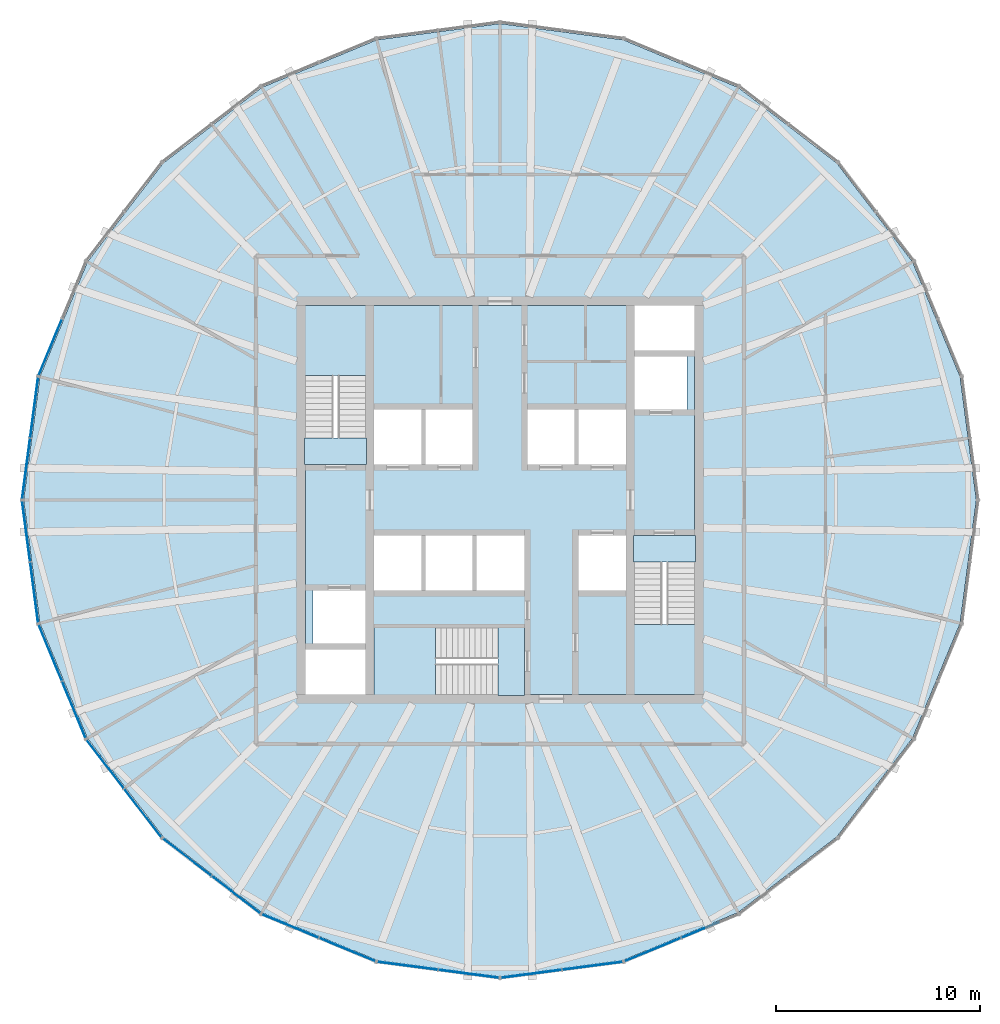
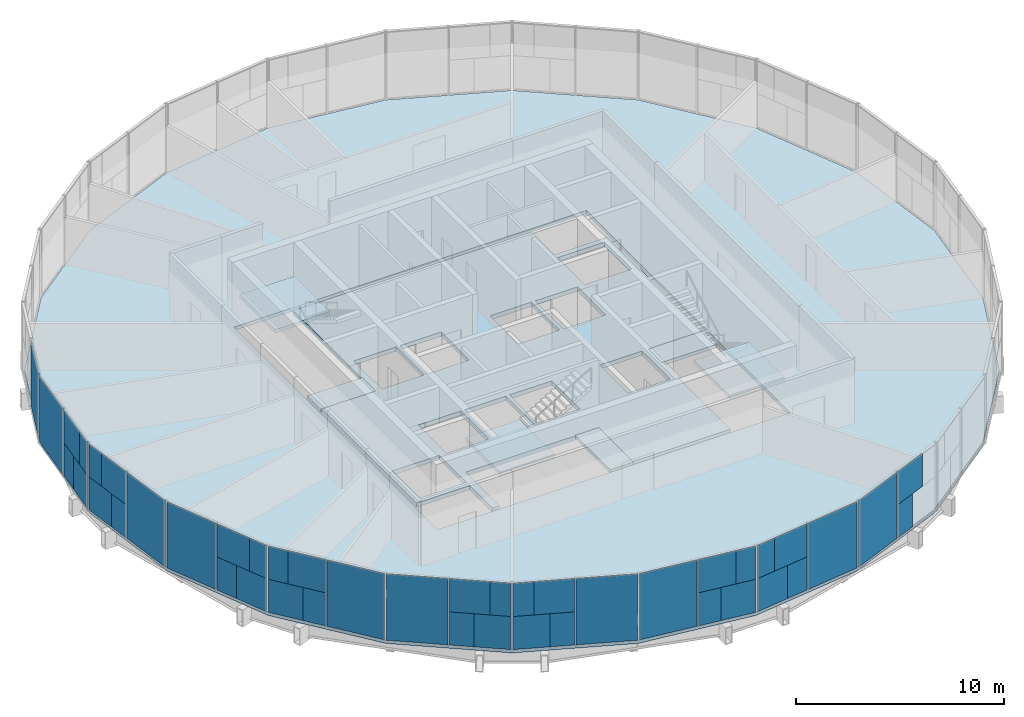
# One storey, part 8 of 13: 44 plates, 8 slabs, 13 elements without a shape of their own.
"""IFC4 building model written with IfcOpenShell, lengths in metres."""

from ifc_helpers import new_model, si_unit, direction, frame, origin, origin_2d, place, context, subcontext, project, spatial, polyline, rectangle, outline, extrude, material, layer, layer_set, type_object, element, aggregate, save


model = new_model("IFC4")

# Units and contexts
model_context = context("Model", 3, precision=1e-05, world=origin(), true_north=direction((0.0, 1.0)))
body_context = subcontext(model_context, "Body", "Model", "MODEL_VIEW")
ifc_project = project(units=[si_unit("LENGTHUNIT", "METRE"), si_unit("AREAUNIT", "SQUARE_METRE"), si_unit("VOLUMEUNIT", "CUBIC_METRE"), si_unit("PLANEANGLEUNIT", "RADIAN"), si_unit("MASSUNIT", "GRAM", prefix="KILO")], contexts=[model_context])

# Site, building, storey
site_placement = place(None, origin())
site = spatial("IfcSite", under=ifc_project, at=site_placement, CompositionType="ELEMENT")
building_placement = place(site_placement, origin())
building = spatial("IfcBuilding", under=site, at=building_placement, Name="Golbaran Civic Tower", CompositionType="ELEMENT")
storey_placement = place(building_placement, frame((0.0, 0.0, 211.0)))
storey = spatial("IfcBuildingStorey", under=building, at=storey_placement, Name="L51", CompositionType="ELEMENT", Elevation=211.0)

# Slabs
ifc_material_1 = material(Name="Concrete LC30/33 lightweight on steel deck", Category="concrete")
ifc_layer_1 = layer(ifc_material_1, 0.199951171875, Name="Concrete LC30/33 lightweight on steel deck")
ifc_layer_set_1 = layer_set([ifc_layer_1], Name="Concrete LC30/33 lightweight on steel deck")
slab_type_1 = type_object("IfcSlabType", Name="COMPOSITE FLOOR SLAB 200", PredefinedType="FLOOR", material=ifc_layer_set_1)
slab_1_placement = place(storey_placement, frame((0.0, 0.0, -0.199951171875)))
element("IfcSlab", 1, at=slab_1_placement, inside=storey, type_object=slab_type_1, Name="Floor slab L51", PredefinedType="FLOOR", context=body_context, shape_type="SweptSolid", body=[
    extrude(outline(polyline([(20.271240234375, -11.70361328125), (16.551513671875, -16.551513671875), (11.70361328125, -20.271240234375), (6.058349609375, -22.609619140625), (0.0, -23.4072265625), (-6.058349609375, -22.609619140625), (-11.70361328125, -20.271240234375), (-16.551513671875, -16.551513671875), (-20.271240234375, -11.70361328125), (-22.609619140625, -6.058349609375), (-23.4072265625, 0.0), (-22.609619140625, 6.058349609375), (-20.271240234375, 11.70361328125), (-16.551513671875, 16.551513671875), (-11.70361328125, 20.271240234375), (-6.058349609375, 22.609619140625), (0.0, 23.4072265625), (6.058349609375, 22.609619140625), (11.70361328125, 20.271240234375), (16.551513671875, 16.551513671875), (20.271240234375, 11.70361328125), (22.609619140625, 6.058349609375), (23.4072265625, 0.0), (22.609619140625, -6.058349609375), (20.271240234375, -11.70361328125)]), holes=[polyline([(-9.77490234375, 9.77490234375), (-9.77490234375, -9.77490234375), (9.77490234375, -9.77490234375), (9.77490234375, 9.77490234375), (-9.77490234375, 9.77490234375)])]), origin(), (0.0, 0.0, 1.0), 0.199951171875),
])
ifc_material_2 = material(Name="Concrete C35/45", Category="concrete")
ifc_layer_2 = layer(ifc_material_2, 0.25, Name="Concrete C35/45")
ifc_layer_set_2 = layer_set([ifc_layer_2], Name="Concrete C35/45")
slab_type_2 = type_object("IfcSlabType", Name="CORE FLOOR SLAB 250", PredefinedType="FLOOR", material=ifc_layer_set_2)
slab_2_placement = place(storey_placement, frame((0.0, 0.0, -0.25)))
element("IfcSlab", 2, at=slab_2_placement, inside=storey, type_object=slab_type_2, Name="Core floor slab L51", PredefinedType="FLOOR", context=body_context, shape_type="SweptSolid", body=[
    extrude(outline(polyline([(6.60009765625, -1.75), (6.60009765625, -9.550048828125), (1.199951171875, -9.550048828125), (1.199951171875, -6.300048828125), (-6.199951171875, -6.300048828125), (-6.199951171875, -9.550048828125), (-6.60009765625, -9.550048828125), (-6.60009765625, -7.35009765625), (-9.550048828125, -7.35009765625), (-9.550048828125, 1.75), (-6.60009765625, 1.75), (-6.60009765625, 9.550048828125), (6.60009765625, 9.550048828125), (6.60009765625, 7.35009765625), (9.550048828125, 7.35009765625), (9.550048828125, -1.75), (6.60009765625, -1.75)]), holes=[polyline([(9.199951171875, 7.050048828125), (6.60009765625, 7.050048828125), (6.60009765625, 4.449951171875), (9.199951171875, 4.449951171875), (9.199951171875, 7.050048828125)]), polyline([(6.199951171875, -1.75), (3.85009765625, -1.75), (3.85009765625, -4.449951171875), (6.199951171875, -4.449951171875), (6.199951171875, -1.75)]), polyline([(6.199951171875, 4.449951171875), (3.85009765625, 4.449951171875), (3.85009765625, 1.75), (6.199951171875, 1.75), (6.199951171875, 4.449951171875)]), polyline([(3.64990234375, 4.449951171875), (1.35009765625, 4.449951171875), (1.35009765625, 1.75), (3.64990234375, 1.75), (3.64990234375, 4.449951171875)]), polyline([(1.199951171875, -1.75), (-1.14990234375, -1.75), (-1.14990234375, -4.449951171875), (1.199951171875, -4.449951171875), (1.199951171875, -1.75)]), polyline([(-1.35009765625, 4.449951171875), (-3.64990234375, 4.449951171875), (-3.64990234375, 1.75), (-1.35009765625, 1.75), (-1.35009765625, 4.449951171875)]), polyline([(-1.35009765625, -1.75), (-3.64990234375, -1.75), (-3.64990234375, -4.449951171875), (-1.35009765625, -4.449951171875), (-1.35009765625, -1.75)]), polyline([(-3.85009765625, -1.75), (-6.199951171875, -1.75), (-6.199951171875, -4.449951171875), (-3.85009765625, -4.449951171875), (-3.85009765625, -1.75)]), polyline([(-3.85009765625, 4.449951171875), (-6.199951171875, 4.449951171875), (-6.199951171875, 1.75), (-3.85009765625, 1.75), (-3.85009765625, 4.449951171875)]), polyline([(-6.60009765625, -4.449951171875), (-9.199951171875, -4.449951171875), (-9.199951171875, -7.050048828125), (-6.60009765625, -7.050048828125), (-6.60009765625, -4.449951171875)])]), origin(), (0.0, 0.0, 1.0), 0.25),
])

# Curtain wall, plate
ifc_material_3 = material(Name="Aluminium and glass", Category="aluminium")
curtain_wall_type = type_object("IfcCurtainWallType", Name="INNER SKIN CURTAIN WALL EXECUTIVE", PredefinedType="NOTDEFINED", material=ifc_material_3)
curtain_wall_1_placement = place(storey_placement, origin())
curtain_wall_1 = element("IfcCurtainWall", 3, at=curtain_wall_1_placement, inside=storey, type_object=curtain_wall_type, Name="Inner skin L51 facet 11 CW2", ObjectType="INNER SKIN", PredefinedType="USERDEFINED")
ifc_material_4 = material(Name="Clear insulating glass", Category="glass")
ifc_layer_3 = layer(ifc_material_4, 0.031982421875, Name="Clear insulating glass")
ifc_layer_set_3 = layer_set([ifc_layer_3], Name="Clear insulating glass")
plate_type_1 = type_object("IfcPlateType", Name="INNER SKIN CURTAIN WALL EXECUTIVE GLAZED PANEL", PredefinedType="CURTAIN_PANEL", material=ifc_layer_set_3)
plate_1_placement = place(storey_placement, frame((-22.09521484375, 7.50927734375, 0.06005859375), z_axis=(0.0, 0.0, 1.0), x_axis=(-0.382683432381, -0.923879532505, 0.0)))
plate_1 = element("IfcPlate", 4, at=plate_1_placement, type_object=plate_type_1, Name="CW2 panel 2.1", PredefinedType="CURTAIN_PANEL", context=body_context, shape_type="SweptSolid", body=[
    extrude(rectangle(XDim=2.975830078125, YDim=0.031982421875, at=origin_2d()), origin(), (0.0, 0.0, 1.0), 3.8798828125),
])
aggregate(curtain_wall_1, [plate_1])

# Curtain wall, plates
curtain_wall_2_placement = place(storey_placement, origin())
curtain_wall_2 = element("IfcCurtainWall", 5, at=curtain_wall_2_placement, inside=storey, type_object=curtain_wall_type, Name="Inner skin L51 facet 12 CW2", ObjectType="INNER SKIN", PredefinedType="USERDEFINED")
plate_2_placement = place(storey_placement, frame((-22.8896484375, 4.54443359375, 0.06005859375), z_axis=(0.0, 0.0, 1.0), x_axis=(-0.130526192203, -0.991444861376, 0.0)))
plate_2 = element("IfcPlate", 6, at=plate_2_placement, type_object=plate_type_1, Name="CW2 panel 1.1", PredefinedType="CURTAIN_PANEL", context=body_context, shape_type="SweptSolid", body=[
    extrude(rectangle(XDim=2.975830078125, YDim=0.031982421875, at=origin_2d()), origin(), (0.0, 0.0, 1.0), 3.8798828125),
])
plate_3_placement = place(storey_placement, frame((-23.16943359375, 2.419921875, 0.06005859375), z_axis=(0.0, 0.0, 1.0), x_axis=(-0.130526192203, -0.991444861376, 0.0)))
plate_3 = element("IfcPlate", 7, at=plate_3_placement, type_object=plate_type_1, Name="CW2 panel 2.1 part 1", PredefinedType="CURTAIN_PANEL", context=body_context, shape_type="SweptSolid", body=[
    extrude(rectangle(XDim=1.18994140625, YDim=0.031982421875, at=origin_2d()), origin(), (0.0, 0.0, 1.0), 1.93994140625),
])
plate_4_placement = place(storey_placement, frame((-23.219970703125, 2.03662109375, 2.0), z_axis=(0.0, 0.0, 1.0), x_axis=(-0.130526192203, -0.991444861376, 0.0)))
plate_4 = element("IfcPlate", 8, at=plate_4_placement, type_object=plate_type_1, Name="CW2 panel 2.1 part 3", PredefinedType="CURTAIN_PANEL", context=body_context, shape_type="SweptSolid", body=[
    extrude(rectangle(XDim=1.962890625, YDim=0.031982421875, at=origin_2d()), origin(), (0.0, 0.0, 1.0), 1.93994140625),
])

curtain_wall_3_placement = place(storey_placement, origin())
curtain_wall_3 = element("IfcCurtainWall", 9, at=curtain_wall_3_placement, inside=storey, type_object=curtain_wall_type, Name="Inner skin L51 facet 13 CW2", ObjectType="INNER SKIN", PredefinedType="USERDEFINED")
plate_5_placement = place(storey_placement, frame((-23.16943359375, -2.419921875, 0.06005859375), z_axis=(0.0, 0.0, 1.0), x_axis=(0.130526192203, -0.991444861376, 0.0)))
plate_5 = element("IfcPlate", 10, at=plate_5_placement, type_object=plate_type_1, Name="CW2 panel 1.1 part 2", PredefinedType="CURTAIN_PANEL", context=body_context, shape_type="SweptSolid", body=[
    extrude(rectangle(XDim=1.189697265625, YDim=0.031982421875, at=origin_2d()), origin(), (0.0, 0.0, 1.0), 1.93994140625),
])
plate_6_placement = place(storey_placement, frame((-23.2197265625, -2.036865234375, 2.0), z_axis=(0.0, 0.0, 1.0), x_axis=(0.130526192203, -0.991444861376, 0.0)))
plate_6 = element("IfcPlate", 11, at=plate_6_placement, type_object=plate_type_1, Name="CW2 panel 1.1 part 4", PredefinedType="CURTAIN_PANEL", context=body_context, shape_type="SweptSolid", body=[
    extrude(rectangle(XDim=1.962890625, YDim=0.031982421875, at=origin_2d()), origin(), (0.0, 0.0, 1.0), 1.93994140625),
])
plate_7_placement = place(storey_placement, frame((-22.8896484375, -4.54443359375, 0.06005859375), z_axis=(0.0, 0.0, 1.0), x_axis=(0.130526192203, -0.991444861376, 0.0)))
plate_7 = element("IfcPlate", 12, at=plate_7_placement, type_object=plate_type_1, Name="CW2 panel 2.1", PredefinedType="CURTAIN_PANEL", context=body_context, shape_type="SweptSolid", body=[
    extrude(rectangle(XDim=2.975830078125, YDim=0.031982421875, at=origin_2d()), origin(), (0.0, 0.0, 1.0), 3.8798828125),
])

curtain_wall_4_placement = place(storey_placement, origin())
curtain_wall_4 = element("IfcCurtainWall", 13, at=curtain_wall_4_placement, inside=storey, type_object=curtain_wall_type, Name="Inner skin L51 facet 14 CW2", ObjectType="INNER SKIN", PredefinedType="USERDEFINED")
plate_8_placement = place(storey_placement, frame((-22.09521484375, -7.50927734375, 0.06005859375), z_axis=(0.0, 0.0, 1.0), x_axis=(0.382683432381, -0.923879532505, 0.0)))
plate_8 = element("IfcPlate", 14, at=plate_8_placement, type_object=plate_type_1, Name="CW2 panel 1.1", PredefinedType="CURTAIN_PANEL", context=body_context, shape_type="SweptSolid", body=[
    extrude(rectangle(XDim=2.975830078125, YDim=0.031982421875, at=origin_2d()), origin(), (0.0, 0.0, 1.0), 3.8798828125),
])
plate_9_placement = place(storey_placement, frame((-21.275146484375, -9.489013671875, 0.06005859375), z_axis=(0.0, 0.0, 1.0), x_axis=(0.382683432381, -0.923879532505, 0.0)))
plate_9 = element("IfcPlate", 15, at=plate_9_placement, type_object=plate_type_1, Name="CW2 panel 2.1 part 1", PredefinedType="CURTAIN_PANEL", context=body_context, shape_type="SweptSolid", body=[
    extrude(rectangle(XDim=1.18994140625, YDim=0.031982421875, at=origin_2d()), origin(), (0.0, 0.0, 1.0), 1.93994140625),
])
plate_10_placement = place(storey_placement, frame((-21.12744140625, -9.84619140625, 2.0), z_axis=(0.0, 0.0, 1.0), x_axis=(0.382683432381, -0.923879532505, 0.0)))
plate_10 = element("IfcPlate", 16, at=plate_10_placement, type_object=plate_type_1, Name="CW2 panel 2.1 part 3", PredefinedType="CURTAIN_PANEL", context=body_context, shape_type="SweptSolid", body=[
    extrude(rectangle(XDim=1.962890625, YDim=0.031982421875, at=origin_2d()), origin(), (0.0, 0.0, 1.0), 1.93994140625),
])

curtain_wall_5_placement = place(storey_placement, origin())
curtain_wall_5 = element("IfcCurtainWall", 17, at=curtain_wall_5_placement, inside=storey, type_object=curtain_wall_type, Name="Inner skin L51 facet 15 CW2", ObjectType="INNER SKIN", PredefinedType="USERDEFINED")
plate_11_placement = place(storey_placement, frame((-18.855224609375, -13.680419921875, 0.06005859375), z_axis=(0.0, 0.0, 1.0), x_axis=(0.608761428912, -0.793353340366, 0.0)))
plate_11 = element("IfcPlate", 18, at=plate_11_placement, type_object=plate_type_1, Name="CW2 panel 1.1 part 2", PredefinedType="CURTAIN_PANEL", context=body_context, shape_type="SweptSolid", body=[
    extrude(rectangle(XDim=1.189697265625, YDim=0.031982421875, at=origin_2d()), origin(), (0.0, 0.0, 1.0), 1.93994140625),
])
plate_12_placement = place(storey_placement, frame((-19.090576171875, -13.373779296875, 2.0), z_axis=(0.0, 0.0, 1.0), x_axis=(0.608761428912, -0.793353340366, 0.0)))
plate_12 = element("IfcPlate", 19, at=plate_12_placement, type_object=plate_type_1, Name="CW2 panel 1.1 part 4", PredefinedType="CURTAIN_PANEL", context=body_context, shape_type="SweptSolid", body=[
    extrude(rectangle(XDim=1.962890625, YDim=0.031982421875, at=origin_2d()), origin(), (0.0, 0.0, 1.0), 1.93994140625),
])
plate_13_placement = place(storey_placement, frame((-17.55078125, -15.38037109375, 0.06005859375), z_axis=(0.0, 0.0, 1.0), x_axis=(0.608761428912, -0.793353340366, 0.0)))
plate_13 = element("IfcPlate", 20, at=plate_13_placement, type_object=plate_type_1, Name="CW2 panel 2.1", PredefinedType="CURTAIN_PANEL", context=body_context, shape_type="SweptSolid", body=[
    extrude(rectangle(XDim=2.975830078125, YDim=0.031982421875, at=origin_2d()), origin(), (0.0, 0.0, 1.0), 3.8798828125),
])

curtain_wall_6_placement = place(storey_placement, origin())
curtain_wall_6 = element("IfcCurtainWall", 21, at=curtain_wall_6_placement, inside=storey, type_object=curtain_wall_type, Name="Inner skin L51 facet 16 CW2", ObjectType="INNER SKIN", PredefinedType="USERDEFINED")
plate_14_placement = place(storey_placement, frame((-15.38037109375, -17.55078125, 0.06005859375), z_axis=(0.0, 0.0, 1.0), x_axis=(0.793353340366, -0.608761428912, 0.0)))
plate_14 = element("IfcPlate", 22, at=plate_14_placement, type_object=plate_type_1, Name="CW2 panel 1.1", PredefinedType="CURTAIN_PANEL", context=body_context, shape_type="SweptSolid", body=[
    extrude(rectangle(XDim=2.975830078125, YDim=0.031982421875, at=origin_2d()), origin(), (0.0, 0.0, 1.0), 3.8798828125),
])
plate_15_placement = place(storey_placement, frame((-13.680419921875, -18.855224609375, 0.06005859375), z_axis=(0.0, 0.0, 1.0), x_axis=(0.793353340366, -0.608761428912, 0.0)))
plate_15 = element("IfcPlate", 23, at=plate_15_placement, type_object=plate_type_1, Name="CW2 panel 2.1 part 1", PredefinedType="CURTAIN_PANEL", context=body_context, shape_type="SweptSolid", body=[
    extrude(rectangle(XDim=1.18994140625, YDim=0.031982421875, at=origin_2d()), origin(), (0.0, 0.0, 1.0), 1.93994140625),
])
plate_16_placement = place(storey_placement, frame((-13.373779296875, -19.090576171875, 2.0), z_axis=(0.0, 0.0, 1.0), x_axis=(0.793353340366, -0.608761428912, 0.0)))
plate_16 = element("IfcPlate", 24, at=plate_16_placement, type_object=plate_type_1, Name="CW2 panel 2.1 part 3", PredefinedType="CURTAIN_PANEL", context=body_context, shape_type="SweptSolid", body=[
    extrude(rectangle(XDim=1.962890625, YDim=0.031982421875, at=origin_2d()), origin(), (0.0, 0.0, 1.0), 1.93994140625),
])

curtain_wall_7_placement = place(storey_placement, origin())
curtain_wall_7 = element("IfcCurtainWall", 25, at=curtain_wall_7_placement, inside=storey, type_object=curtain_wall_type, Name="Inner skin L51 facet 17 CW2", ObjectType="INNER SKIN", PredefinedType="USERDEFINED")
plate_17_placement = place(storey_placement, frame((-9.489013671875, -21.275390625, 0.06005859375), z_axis=(0.0, 0.0, 1.0), x_axis=(0.923879532505, -0.382683432381, 0.0)))
plate_17 = element("IfcPlate", 26, at=plate_17_placement, type_object=plate_type_1, Name="CW2 panel 1.1 part 2", PredefinedType="CURTAIN_PANEL", context=body_context, shape_type="SweptSolid", body=[
    extrude(rectangle(XDim=1.189697265625, YDim=0.031982421875, at=origin_2d()), origin(), (0.0, 0.0, 1.0), 1.93994140625),
])
plate_18_placement = place(storey_placement, frame((-9.845947265625, -21.12744140625, 2.0), z_axis=(0.0, 0.0, 1.0), x_axis=(0.923879532505, -0.382683432381, 0.0)))
plate_18 = element("IfcPlate", 27, at=plate_18_placement, type_object=plate_type_1, Name="CW2 panel 1.1 part 4", PredefinedType="CURTAIN_PANEL", context=body_context, shape_type="SweptSolid", body=[
    extrude(rectangle(XDim=1.962890625, YDim=0.031982421875, at=origin_2d()), origin(), (0.0, 0.0, 1.0), 1.93994140625),
])
plate_19_placement = place(storey_placement, frame((-7.50927734375, -22.09521484375, 0.06005859375), z_axis=(0.0, 0.0, 1.0), x_axis=(0.923879532505, -0.382683432381, 0.0)))
plate_19 = element("IfcPlate", 28, at=plate_19_placement, type_object=plate_type_1, Name="CW2 panel 2.1", PredefinedType="CURTAIN_PANEL", context=body_context, shape_type="SweptSolid", body=[
    extrude(rectangle(XDim=2.975830078125, YDim=0.031982421875, at=origin_2d()), origin(), (0.0, 0.0, 1.0), 3.8798828125),
])

curtain_wall_8_placement = place(storey_placement, origin())
curtain_wall_8 = element("IfcCurtainWall", 29, at=curtain_wall_8_placement, inside=storey, type_object=curtain_wall_type, Name="Inner skin L51 facet 18 CW2", ObjectType="INNER SKIN", PredefinedType="USERDEFINED")
plate_20_placement = place(storey_placement, frame((-4.54443359375, -22.8896484375, 0.06005859375), z_axis=(0.0, 0.0, 1.0), x_axis=(0.991444861376, -0.130526192203, 0.0)))
plate_20 = element("IfcPlate", 30, at=plate_20_placement, type_object=plate_type_1, Name="CW2 panel 1.1", PredefinedType="CURTAIN_PANEL", context=body_context, shape_type="SweptSolid", body=[
    extrude(rectangle(XDim=2.975830078125, YDim=0.031982421875, at=origin_2d()), origin(), (0.0, 0.0, 1.0), 3.8798828125),
])
plate_21_placement = place(storey_placement, frame((-2.419921875, -23.16943359375, 0.06005859375), z_axis=(0.0, 0.0, 1.0), x_axis=(0.991444861376, -0.130526192203, 0.0)))
plate_21 = element("IfcPlate", 31, at=plate_21_placement, type_object=plate_type_1, Name="CW2 panel 2.1 part 1", PredefinedType="CURTAIN_PANEL", context=body_context, shape_type="SweptSolid", body=[
    extrude(rectangle(XDim=1.18994140625, YDim=0.031982421875, at=origin_2d()), origin(), (0.0, 0.0, 1.0), 1.93994140625),
])
plate_22_placement = place(storey_placement, frame((-2.03662109375, -23.219970703125, 2.0), z_axis=(0.0, 0.0, 1.0), x_axis=(0.991444861376, -0.130526192203, 0.0)))
plate_22 = element("IfcPlate", 32, at=plate_22_placement, type_object=plate_type_1, Name="CW2 panel 2.1 part 3", PredefinedType="CURTAIN_PANEL", context=body_context, shape_type="SweptSolid", body=[
    extrude(rectangle(XDim=1.962890625, YDim=0.031982421875, at=origin_2d()), origin(), (0.0, 0.0, 1.0), 1.93994140625),
])

curtain_wall_9_placement = place(storey_placement, origin())
curtain_wall_9 = element("IfcCurtainWall", 33, at=curtain_wall_9_placement, inside=storey, type_object=curtain_wall_type, Name="Inner skin L51 facet 19 CW2", ObjectType="INNER SKIN", PredefinedType="USERDEFINED")
plate_23_placement = place(storey_placement, frame((2.419921875, -23.16943359375, 0.06005859375), z_axis=(0.0, 0.0, 1.0), x_axis=(0.991444861376, 0.130526192203, 0.0)))
plate_23 = element("IfcPlate", 34, at=plate_23_placement, type_object=plate_type_1, Name="CW2 panel 1.1 part 2", PredefinedType="CURTAIN_PANEL", context=body_context, shape_type="SweptSolid", body=[
    extrude(rectangle(XDim=1.189697265625, YDim=0.031982421875, at=origin_2d()), origin(), (0.0, 0.0, 1.0), 1.93994140625),
])
plate_24_placement = place(storey_placement, frame((2.036865234375, -23.2197265625, 2.0), z_axis=(0.0, 0.0, 1.0), x_axis=(0.991444861376, 0.130526192203, 0.0)))
plate_24 = element("IfcPlate", 35, at=plate_24_placement, type_object=plate_type_1, Name="CW2 panel 1.1 part 4", PredefinedType="CURTAIN_PANEL", context=body_context, shape_type="SweptSolid", body=[
    extrude(rectangle(XDim=1.962890625, YDim=0.031982421875, at=origin_2d()), origin(), (0.0, 0.0, 1.0), 1.93994140625),
])
plate_25_placement = place(storey_placement, frame((4.54443359375, -22.8896484375, 0.06005859375), z_axis=(0.0, 0.0, 1.0), x_axis=(0.991444861376, 0.130526192203, 0.0)))
plate_25 = element("IfcPlate", 36, at=plate_25_placement, type_object=plate_type_1, Name="CW2 panel 2.1", PredefinedType="CURTAIN_PANEL", context=body_context, shape_type="SweptSolid", body=[
    extrude(rectangle(XDim=2.975830078125, YDim=0.031982421875, at=origin_2d()), origin(), (0.0, 0.0, 1.0), 3.8798828125),
])

curtain_wall_10_placement = place(storey_placement, origin())
curtain_wall_10 = element("IfcCurtainWall", 37, at=curtain_wall_10_placement, inside=storey, type_object=curtain_wall_type, Name="Inner skin L51 facet 20 CW2", ObjectType="INNER SKIN", PredefinedType="USERDEFINED")
plate_26_placement = place(storey_placement, frame((7.50927734375, -22.09521484375, 0.06005859375), z_axis=(0.0, 0.0, 1.0), x_axis=(0.923879532505, 0.382683432381, 0.0)))
plate_26 = element("IfcPlate", 38, at=plate_26_placement, type_object=plate_type_1, Name="CW2 panel 1.1", PredefinedType="CURTAIN_PANEL", context=body_context, shape_type="SweptSolid", body=[
    extrude(rectangle(XDim=2.975830078125, YDim=0.031982421875, at=origin_2d()), origin(), (0.0, 0.0, 1.0), 3.8798828125),
])
plate_27_placement = place(storey_placement, frame((9.489013671875, -21.275146484375, 0.06005859375), z_axis=(0.0, 0.0, 1.0), x_axis=(0.923879532505, 0.382683432381, 0.0)))
plate_27 = element("IfcPlate", 39, at=plate_27_placement, type_object=plate_type_1, Name="CW2 panel 2.1 part 1", PredefinedType="CURTAIN_PANEL", context=body_context, shape_type="SweptSolid", body=[
    extrude(rectangle(XDim=1.18994140625, YDim=0.031982421875, at=origin_2d()), origin(), (0.0, 0.0, 1.0), 1.93994140625),
])
plate_28_placement = place(storey_placement, frame((9.84619140625, -21.12744140625, 2.0), z_axis=(0.0, 0.0, 1.0), x_axis=(0.923879532505, 0.382683432381, 0.0)))
plate_28 = element("IfcPlate", 40, at=plate_28_placement, type_object=plate_type_1, Name="CW2 panel 2.1 part 3", PredefinedType="CURTAIN_PANEL", context=body_context, shape_type="SweptSolid", body=[
    extrude(rectangle(XDim=1.962890625, YDim=0.031982421875, at=origin_2d()), origin(), (0.0, 0.0, 1.0), 1.93994140625),
])
aggregate(curtain_wall_10, [plate_26, plate_27, plate_28])

# Plate
ifc_material_5 = material(Name="Aluminium faced opaque infill panel", Category="aluminium")
ifc_layer_4 = layer(ifc_material_5, 0.031982421875, Name="Aluminium faced opaque infill panel")
ifc_layer_set_4 = layer_set([ifc_layer_4], Name="Aluminium faced opaque infill panel")
plate_type_2 = type_object("IfcPlateType", Name="INNER SKIN CURTAIN WALL EXECUTIVE OPAQUE INFILL PANEL", PredefinedType="CURTAIN_PANEL", material=ifc_layer_set_4)
plate_29_placement = place(storey_placement, frame((-23.363525390625, 0.94482421875, 0.06005859375), z_axis=(0.0, 0.0, 1.0), x_axis=(-0.130526192203, -0.991444861376, 0.0)))
plate_29 = element("IfcPlate", 41, at=plate_29_placement, type_object=plate_type_2, Name="CW2 infill panel 2.1 part 2", PredefinedType="CURTAIN_PANEL", context=body_context, shape_type="SweptSolid", body=[
    extrude(rectangle(XDim=1.785888671875, YDim=0.031982421875, at=origin_2d()), origin(), (0.0, 0.0, 1.0), 1.93994140625),
])

plate_30_placement = place(storey_placement, frame((-23.4140625, 0.5615234375, 2.0), z_axis=(0.0, 0.0, 1.0), x_axis=(-0.130526192203, -0.991444861376, 0.0)))
plate_30 = element("IfcPlate", 42, at=plate_30_placement, type_object=plate_type_2, Name="CW2 infill panel 2.1 part 4", PredefinedType="CURTAIN_PANEL", context=body_context, shape_type="SweptSolid", body=[
    extrude(rectangle(XDim=1.0126953125, YDim=0.031982421875, at=origin_2d()), origin(), (0.0, 0.0, 1.0), 1.93994140625),
])

aggregate(curtain_wall_2, [plate_2, plate_3, plate_29, plate_4, plate_30])

plate_31_placement = place(storey_placement, frame((-23.363525390625, -0.94482421875, 0.06005859375), z_axis=(0.0, 0.0, 1.0), x_axis=(0.130526192203, -0.991444861376, 0.0)))
plate_31 = element("IfcPlate", 43, at=plate_31_placement, type_object=plate_type_2, Name="CW2 infill panel 1.1 part 1", PredefinedType="CURTAIN_PANEL", context=body_context, shape_type="SweptSolid", body=[
    extrude(rectangle(XDim=1.785888671875, YDim=0.031982421875, at=origin_2d()), origin(), (0.0, 0.0, 1.0), 1.93994140625),
])

plate_32_placement = place(storey_placement, frame((-23.4140625, -0.561767578125, 2.0), z_axis=(0.0, 0.0, 1.0), x_axis=(0.130526192203, -0.991444861376, 0.0)))
plate_32 = element("IfcPlate", 44, at=plate_32_placement, type_object=plate_type_2, Name="CW2 infill panel 1.1 part 3", PredefinedType="CURTAIN_PANEL", context=body_context, shape_type="SweptSolid", body=[
    extrude(rectangle(XDim=1.012939453125, YDim=0.031982421875, at=origin_2d()), origin(), (0.0, 0.0, 1.0), 1.93994140625),
])

aggregate(curtain_wall_3, [plate_31, plate_5, plate_32, plate_6, plate_7])

plate_33_placement = place(storey_placement, frame((-20.705810546875, -10.863525390625, 0.06005859375), z_axis=(0.0, 0.0, 1.0), x_axis=(0.382683432381, -0.923879532505, 0.0)))
plate_33 = element("IfcPlate", 45, at=plate_33_placement, type_object=plate_type_2, Name="CW2 infill panel 2.1 part 2", PredefinedType="CURTAIN_PANEL", context=body_context, shape_type="SweptSolid", body=[
    extrude(rectangle(XDim=1.785888671875, YDim=0.031982421875, at=origin_2d()), origin(), (0.0, 0.0, 1.0), 1.93994140625),
])

plate_34_placement = place(storey_placement, frame((-20.557861328125, -11.220703125, 2.0), z_axis=(0.0, 0.0, 1.0), x_axis=(0.382683432381, -0.923879532505, 0.0)))
plate_34 = element("IfcPlate", 46, at=plate_34_placement, type_object=plate_type_2, Name="CW2 infill panel 2.1 part 4", PredefinedType="CURTAIN_PANEL", context=body_context, shape_type="SweptSolid", body=[
    extrude(rectangle(XDim=1.0126953125, YDim=0.031982421875, at=origin_2d()), origin(), (0.0, 0.0, 1.0), 1.93994140625),
])

aggregate(curtain_wall_4, [plate_8, plate_9, plate_33, plate_10, plate_34])

plate_35_placement = place(storey_placement, frame((-19.760986328125, -12.5, 0.06005859375), z_axis=(0.0, 0.0, 1.0), x_axis=(0.608761428912, -0.793353340366, 0.0)))
plate_35 = element("IfcPlate", 47, at=plate_35_placement, type_object=plate_type_2, Name="CW2 infill panel 1.1 part 1", PredefinedType="CURTAIN_PANEL", context=body_context, shape_type="SweptSolid", body=[
    extrude(rectangle(XDim=1.785888671875, YDim=0.031982421875, at=origin_2d()), origin(), (0.0, 0.0, 1.0), 1.93994140625),
])

plate_36_placement = place(storey_placement, frame((-19.996337890625, -12.193359375, 2.0), z_axis=(0.0, 0.0, 1.0), x_axis=(0.608761428912, -0.793353340366, 0.0)))
plate_36 = element("IfcPlate", 48, at=plate_36_placement, type_object=plate_type_2, Name="CW2 infill panel 1.1 part 3", PredefinedType="CURTAIN_PANEL", context=body_context, shape_type="SweptSolid", body=[
    extrude(rectangle(XDim=1.012939453125, YDim=0.031982421875, at=origin_2d()), origin(), (0.0, 0.0, 1.0), 1.93994140625),
])

aggregate(curtain_wall_5, [plate_35, plate_11, plate_36, plate_12, plate_13])

plate_37_placement = place(storey_placement, frame((-12.5, -19.76123046875, 0.06005859375), z_axis=(0.0, 0.0, 1.0), x_axis=(0.793353340366, -0.608761428912, 0.0)))
plate_37 = element("IfcPlate", 49, at=plate_37_placement, type_object=plate_type_2, Name="CW2 infill panel 2.1 part 2", PredefinedType="CURTAIN_PANEL", context=body_context, shape_type="SweptSolid", body=[
    extrude(rectangle(XDim=1.785888671875, YDim=0.031982421875, at=origin_2d()), origin(), (0.0, 0.0, 1.0), 1.93994140625),
])

plate_38_placement = place(storey_placement, frame((-12.193359375, -19.996337890625, 2.0), z_axis=(0.0, 0.0, 1.0), x_axis=(0.793353340366, -0.608761428912, 0.0)))
plate_38 = element("IfcPlate", 50, at=plate_38_placement, type_object=plate_type_2, Name="CW2 infill panel 2.1 part 4", PredefinedType="CURTAIN_PANEL", context=body_context, shape_type="SweptSolid", body=[
    extrude(rectangle(XDim=1.0126953125, YDim=0.031982421875, at=origin_2d()), origin(), (0.0, 0.0, 1.0), 1.93994140625),
])

aggregate(curtain_wall_6, [plate_14, plate_15, plate_37, plate_16, plate_38])

plate_39_placement = place(storey_placement, frame((-10.863525390625, -20.705810546875, 0.06005859375), z_axis=(0.0, 0.0, 1.0), x_axis=(0.923879532505, -0.382683432381, 0.0)))
plate_39 = element("IfcPlate", 51, at=plate_39_placement, type_object=plate_type_2, Name="CW2 infill panel 1.1 part 1", PredefinedType="CURTAIN_PANEL", context=body_context, shape_type="SweptSolid", body=[
    extrude(rectangle(XDim=1.785888671875, YDim=0.031982421875, at=origin_2d()), origin(), (0.0, 0.0, 1.0), 1.93994140625),
])

plate_40_placement = place(storey_placement, frame((-11.220703125, -20.55810546875, 2.0), z_axis=(0.0, 0.0, 1.0), x_axis=(0.923879532505, -0.382683432381, 0.0)))
plate_40 = element("IfcPlate", 52, at=plate_40_placement, type_object=plate_type_2, Name="CW2 infill panel 1.1 part 3", PredefinedType="CURTAIN_PANEL", context=body_context, shape_type="SweptSolid", body=[
    extrude(rectangle(XDim=1.012939453125, YDim=0.031982421875, at=origin_2d()), origin(), (0.0, 0.0, 1.0), 1.93994140625),
])

aggregate(curtain_wall_7, [plate_39, plate_17, plate_40, plate_18, plate_19])

plate_41_placement = place(storey_placement, frame((-0.94482421875, -23.363525390625, 0.06005859375), z_axis=(0.0, 0.0, 1.0), x_axis=(0.991444861376, -0.130526192203, 0.0)))
plate_41 = element("IfcPlate", 53, at=plate_41_placement, type_object=plate_type_2, Name="CW2 infill panel 2.1 part 2", PredefinedType="CURTAIN_PANEL", context=body_context, shape_type="SweptSolid", body=[
    extrude(rectangle(XDim=1.785888671875, YDim=0.031982421875, at=origin_2d()), origin(), (0.0, 0.0, 1.0), 1.93994140625),
])

plate_42_placement = place(storey_placement, frame((-0.5615234375, -23.4140625, 2.0), z_axis=(0.0, 0.0, 1.0), x_axis=(0.991444861376, -0.130526192203, 0.0)))
plate_42 = element("IfcPlate", 54, at=plate_42_placement, type_object=plate_type_2, Name="CW2 infill panel 2.1 part 4", PredefinedType="CURTAIN_PANEL", context=body_context, shape_type="SweptSolid", body=[
    extrude(rectangle(XDim=1.0126953125, YDim=0.031982421875, at=origin_2d()), origin(), (0.0, 0.0, 1.0), 1.93994140625),
])

aggregate(curtain_wall_8, [plate_20, plate_21, plate_41, plate_22, plate_42])

plate_43_placement = place(storey_placement, frame((0.94482421875, -23.363525390625, 0.06005859375), z_axis=(0.0, 0.0, 1.0), x_axis=(0.991444861376, 0.130526192203, 0.0)))
plate_43 = element("IfcPlate", 55, at=plate_43_placement, type_object=plate_type_2, Name="CW2 infill panel 1.1 part 1", PredefinedType="CURTAIN_PANEL", context=body_context, shape_type="SweptSolid", body=[
    extrude(rectangle(XDim=1.785888671875, YDim=0.031982421875, at=origin_2d()), origin(), (0.0, 0.0, 1.0), 1.93994140625),
])

plate_44_placement = place(storey_placement, frame((0.561767578125, -23.4140625, 2.0), z_axis=(0.0, 0.0, 1.0), x_axis=(0.991444861376, 0.130526192203, 0.0)))
plate_44 = element("IfcPlate", 56, at=plate_44_placement, type_object=plate_type_2, Name="CW2 infill panel 1.1 part 3", PredefinedType="CURTAIN_PANEL", context=body_context, shape_type="SweptSolid", body=[
    extrude(rectangle(XDim=1.012939453125, YDim=0.031982421875, at=origin_2d()), origin(), (0.0, 0.0, 1.0), 1.93994140625),
])

aggregate(curtain_wall_9, [plate_43, plate_23, plate_44, plate_24, plate_25])

# Stair, slab
stair_type_1 = type_object("IfcStairType", Name="EXIT STAIR 2950 x 7800, 4000 RISE", PredefinedType="HALF_TURN_STAIR", material=ifc_material_2)
stair_1_placement = place(storey_placement, origin())
stair_1 = element("IfcStair", 57, at=stair_1_placement, inside=storey, type_object=stair_type_1, Name="Stair S1 L51", PredefinedType="HALF_TURN_STAIR")
ifc_layer_5 = layer(ifc_material_2, 0.199951171875, Name="Concrete C35/45")
ifc_layer_set_5 = layer_set([ifc_layer_5], Name="Concrete C35/45")
slab_type_3 = type_object("IfcSlabType", Name="STAIR LANDING 200", PredefinedType="LANDING", material=ifc_layer_set_5)
slab_3_placement = place(storey_placement, frame((0.0, 0.0, 1.800048828125)))
slab_3 = element("IfcSlab", 58, at=slab_3_placement, type_object=slab_type_3, Name="ST29578-40 landing 1", PredefinedType="LANDING", context=body_context, shape_type="SweptSolid", body=[
    extrude(outline(polyline([(-9.60009765625, 6.125), (-9.60009765625, 9.550048828125), (-6.550048828125, 9.550048828125), (-6.550048828125, 6.125), (-9.60009765625, 6.125)])), origin(), (0.0, 0.0, 1.0), 0.199951171875),
])
aggregate(stair_1, [slab_3])

# Slab
slab_4_placement = place(storey_placement, frame((0.0, 0.0, -0.199951171875)))
element("IfcSlab", 59, at=slab_4_placement, inside=storey, type_object=slab_type_3, Name="Stair S1 floor landing L51", PredefinedType="LANDING", context=body_context, shape_type="SweptSolid", body=[
    extrude(outline(polyline([(-9.60009765625, 1.75), (-9.60009765625, 3.054931640625), (-6.550048828125, 3.054931640625), (-6.550048828125, 1.75), (-9.60009765625, 1.75)])), origin(), (0.0, 0.0, 1.0), 0.199951171875),
])

# Stair, slab
stair_2_placement = place(storey_placement, origin())
stair_2 = element("IfcStair", 60, at=stair_2_placement, inside=storey, type_object=stair_type_1, Name="Stair S2 L51", PredefinedType="HALF_TURN_STAIR")
slab_5_placement = place(storey_placement, frame((0.0, 0.0, 1.800048828125)))
slab_5 = element("IfcSlab", 61, at=slab_5_placement, type_object=slab_type_3, Name="ST29578-40 landing 1", PredefinedType="LANDING", context=body_context, shape_type="SweptSolid", body=[
    extrude(outline(polyline([(9.60009765625, -6.125), (9.60009765625, -9.550048828125), (6.550048828125, -9.550048828125), (6.550048828125, -6.125), (9.60009765625, -6.125)])), origin(), (0.0, 0.0, 1.0), 0.199951171875),
])
aggregate(stair_2, [slab_5])

# Slab
slab_6_placement = place(storey_placement, frame((0.0, 0.0, -0.199951171875)))
element("IfcSlab", 62, at=slab_6_placement, inside=storey, type_object=slab_type_3, Name="Stair S2 floor landing L51", PredefinedType="LANDING", context=body_context, shape_type="SweptSolid", body=[
    extrude(outline(polyline([(9.60009765625, -1.75), (9.60009765625, -3.054931640625), (6.550048828125, -3.054931640625), (6.550048828125, -1.75), (9.60009765625, -1.75)])), origin(), (0.0, 0.0, 1.0), 0.199951171875),
])

# Stair, slab
stair_type_2 = type_object("IfcStairType", Name="EXIT STAIR 3250 x 7400, 4000 RISE", PredefinedType="HALF_TURN_STAIR", material=ifc_material_2)
stair_3_placement = place(storey_placement, origin())
stair_3 = element("IfcStair", 63, at=stair_3_placement, inside=storey, type_object=stair_type_2, Name="Stair S3 L51", PredefinedType="HALF_TURN_STAIR")
slab_7_placement = place(storey_placement, frame((0.0, 0.0, 1.800048828125)))
slab_7 = element("IfcSlab", 64, at=slab_7_placement, type_object=slab_type_3, Name="ST32574-40 landing 1", PredefinedType="LANDING", context=body_context, shape_type="SweptSolid", body=[
    extrude(outline(polyline([(-3.175048828125, -9.60009765625), (-6.199951171875, -9.60009765625), (-6.199951171875, -6.25), (-3.175048828125, -6.25), (-3.175048828125, -9.60009765625)])), origin(), (0.0, 0.0, 1.0), 0.199951171875),
])
aggregate(stair_3, [slab_7])

# Slab
slab_8_placement = place(storey_placement, frame((0.0, 0.0, -0.199951171875)))
element("IfcSlab", 65, at=slab_8_placement, inside=storey, type_object=slab_type_3, Name="Stair S3 floor landing L51", PredefinedType="LANDING", context=body_context, shape_type="SweptSolid", body=[
    extrude(outline(polyline([(1.199951171875, -9.60009765625), (-0.10498046875, -9.60009765625), (-0.10498046875, -6.25), (1.199951171875, -6.25), (1.199951171875, -9.60009765625)])), origin(), (0.0, 0.0, 1.0), 0.199951171875),
])

save(model, "model.ifc")
